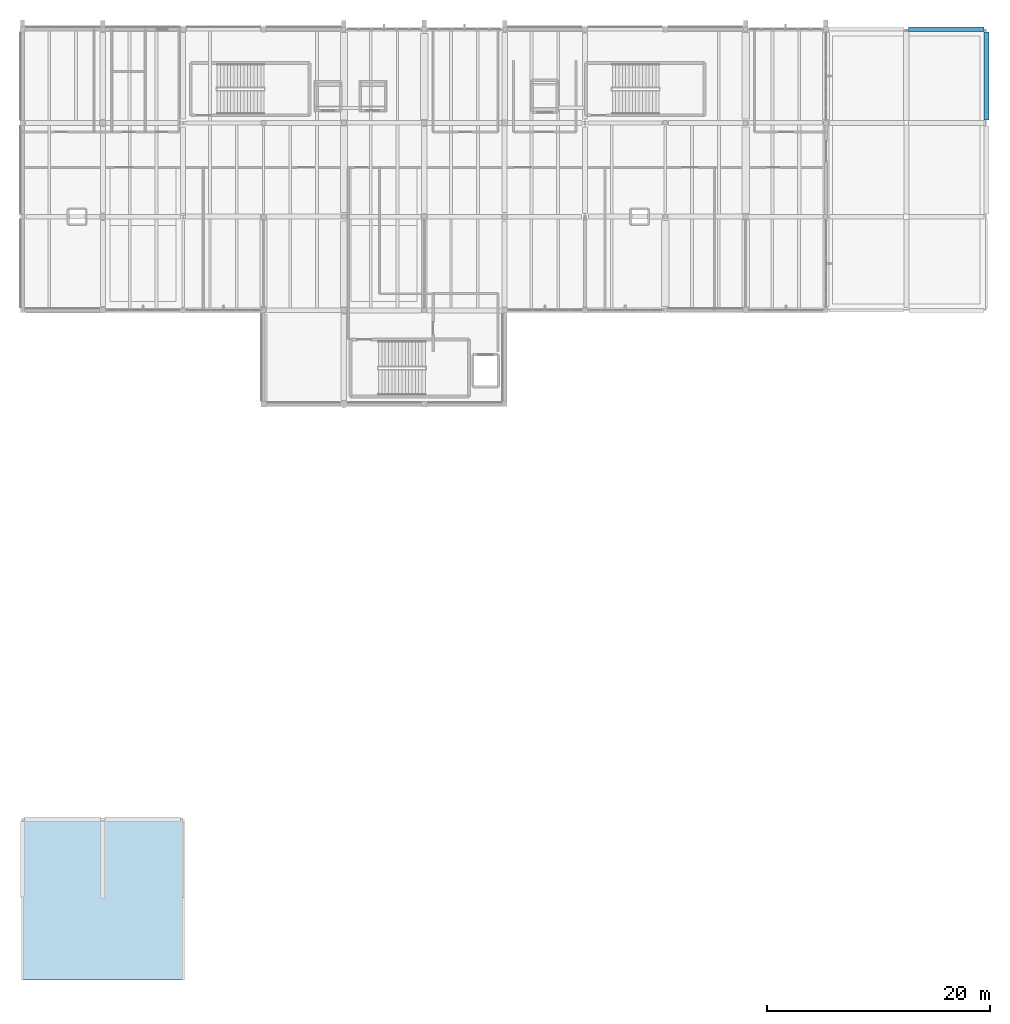
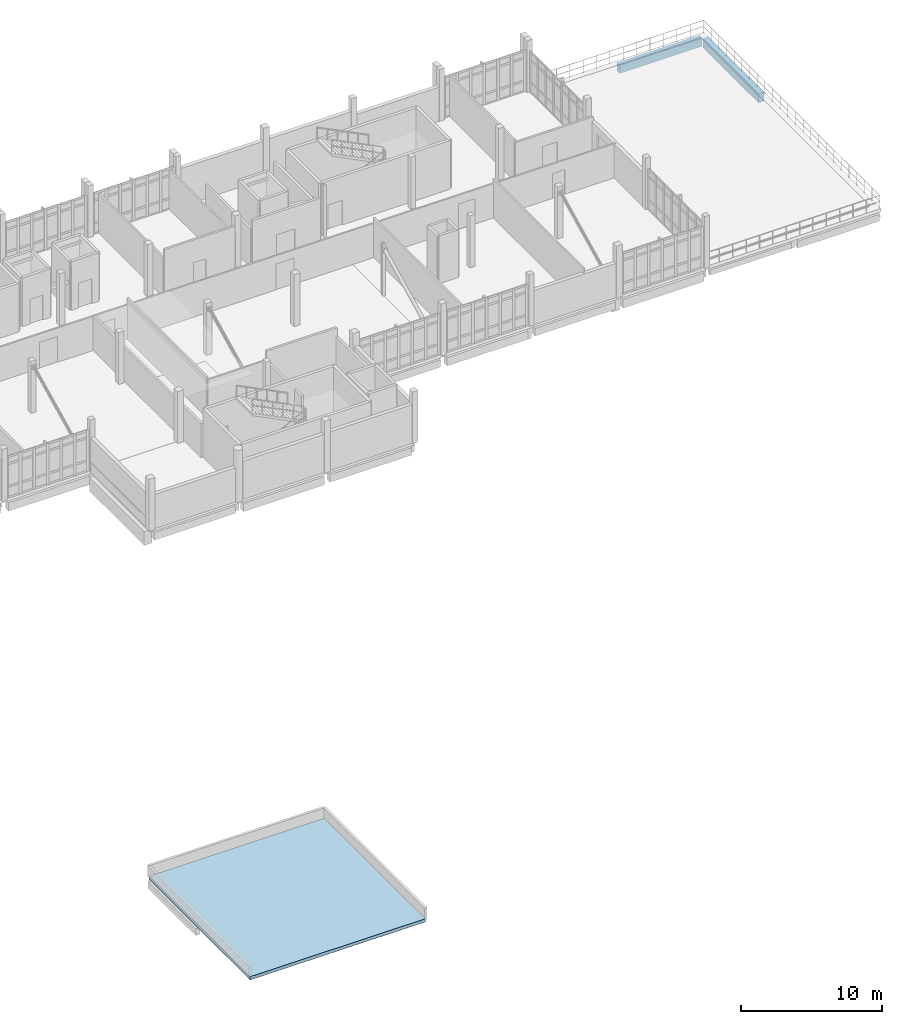
# One storey, part 21 of 34: 2 beams, 1 slab.
"""IFC4 building model written with IfcOpenShell, lengths in metres."""

import ifcopenshell
import ifcopenshell.guid

model = None  # the IFC model being written
_history = None  # IfcOwnerHistory: only IFC2X3 demands one
_inside = {}  # id of a spatial element -> (the spatial element, [elements in it])
_under = {}  # id of a project, library or spatial element -> (it, [spatial elements below it])
_declared = {}  # id of a project -> (the project, [libraries it declares])
_typed = {}  # id of a type object -> (the type object, [elements of that type])
_made_of = {}  # id of a material, layer set ... -> (it, [elements and type objects made of it])


def new_model(schema):
    """Start an empty IFC model of exactly this schema.

    Asked for "IFC4X3", IfcOpenShell would pick the latest addendum, in which some entities
    have other attributes; the version numbers below select the first issue.
    IFC2X3 requires an IfcOwnerHistory on every rooted entity: one is made here for all.
    """
    global model, _history
    if schema == "IFC4X3":
        model = ifcopenshell.file(schema_version=(4, 3, 0, 0))
    else:
        model = ifcopenshell.file(schema=schema)
    _inside.clear()
    _under.clear()
    _declared.clear()
    _typed.clear()
    _made_of.clear()
    _history = None
    if model.schema == "IFC2X3":
        org = make("IfcOrganization", Name="unknown")
        user = make(
            "IfcPersonAndOrganization",
            ThePerson=make("IfcPerson", FamilyName="unknown"),
            TheOrganization=org,
        )
        app = make(
            "IfcApplication",
            ApplicationDeveloper=org,
            Version="unknown",
            ApplicationFullName="unknown",
            ApplicationIdentifier="unknown",
        )
        _history = make(
            "IfcOwnerHistory",
            OwningUser=user,
            OwningApplication=app,
            ChangeAction="ADDED",
            CreationDate=0,
        )
    return model


def make(cls, **values):
    """One entity of the class cls with the attributes given. An attribute that is None is left unset."""
    return model.create_entity(
        cls, **{name: value for name, value in values.items() if value is not None}
    )


def rooted(cls, **values):
    """An entity with a GlobalId (a new one), such as an element, a storey or a relation."""
    return make(cls, GlobalId=ifcopenshell.guid.new(), OwnerHistory=_history, **values)


def si_unit(unit_type, name, prefix=None):
    """IfcSIUnit, for example si_unit("LENGTHUNIT", "METRE", prefix="MILLI")."""
    return make("IfcSIUnit", UnitType=unit_type, Prefix=prefix, Name=name)


def assignment(units):
    """IfcUnitAssignment: the units of a project."""
    return None if units is None else make("IfcUnitAssignment", Units=units)


def point(xyz):
    """IfcCartesianPoint."""
    return None if xyz is None else make("IfcCartesianPoint", Coordinates=xyz)


def direction(xyz):
    """IfcDirection."""
    return None if xyz is None else make("IfcDirection", DirectionRatios=xyz)


def frame(location, z_axis=None, x_axis=None):
    """IfcAxis2Placement3D, a coordinate frame: its origin and axes. An axis left out is left unset."""
    return make(
        "IfcAxis2Placement3D",
        Location=point(location),
        Axis=direction(z_axis),
        RefDirection=direction(x_axis),
    )


def frame_2d(location, x_axis=None):
    """IfcAxis2Placement2D, a coordinate frame in the plane: its origin and x axis."""
    return make(
        "IfcAxis2Placement2D", Location=point(location), RefDirection=direction(x_axis)
    )


def origin():
    """The frame at (0, 0, 0) with its axes left unset."""
    return frame((0.0, 0.0, 0.0))


def origin_2d():
    """The frame at (0, 0) in the plane with its x axis left unset."""
    return frame_2d((0.0, 0.0))


def place(relative_to, where):
    """IfcLocalPlacement: puts the frame where relative to a parent placement (None: the world)."""
    return make(
        "IfcLocalPlacement", PlacementRelTo=relative_to, RelativePlacement=where
    )


def context(
    kind, dimensions, precision=None, world=None, true_north=None, identifier=None
):
    """IfcGeometricRepresentationContext, for example the 3D "Model" context."""
    return make(
        "IfcGeometricRepresentationContext",
        ContextIdentifier=identifier,
        ContextType=kind,
        CoordinateSpaceDimension=dimensions,
        Precision=precision,
        WorldCoordinateSystem=world,
        TrueNorth=true_north,
    )


def subcontext(parent, identifier, kind, view, scale=None):
    """IfcGeometricRepresentationSubContext, for example "Body" below "Model"."""
    return make(
        "IfcGeometricRepresentationSubContext",
        ContextIdentifier=identifier,
        ContextType=kind,
        ParentContext=parent,
        TargetScale=scale,
        TargetView=view,
    )


def project(units=None, contexts=None):
    """IfcProject with its units and contexts."""
    return rooted(
        "IfcProject",
        Name="project",
        RepresentationContexts=contexts,
        UnitsInContext=assignment(units),
    )


def spatial(cls, under=None, at=None, **own):
    """A site, building, storey or space (cls), placed at a placement, below another one or the project."""
    s = rooted(cls, ObjectPlacement=at, **own)
    if under is not None:
        _under.setdefault(under.id(), (under, []))[1].append(s)
    return s


def polyline(points):
    """IfcPolyline through the points."""
    return make("IfcPolyline", Points=[point(p) for p in points])


def profile(cls, at=None, kind="AREA", **sizes):
    """A parametric profile (cls). Its sizes go by their IFC names, for example OverallWidth=200.0."""
    return make(cls, ProfileType=kind, Position=at, **sizes)


def rectangle(**sizes):
    """IfcRectangleProfileDef."""
    return profile("IfcRectangleProfileDef", **sizes)


def outline(outer, holes=None, kind="AREA"):
    """IfcArbitraryClosedProfileDef: a profile drawn as a closed curve; with holes, ...WithVoids."""
    if holes is None:
        return make("IfcArbitraryClosedProfileDef", ProfileType=kind, OuterCurve=outer)
    return make(
        "IfcArbitraryProfileDefWithVoids",
        ProfileType=kind,
        OuterCurve=outer,
        InnerCurves=holes,
    )


def extrude(swept, where, along, depth):
    """IfcExtrudedAreaSolid: the profile swept, set in the frame where, extruded along a direction by depth."""
    return make(
        "IfcExtrudedAreaSolid",
        SweptArea=swept,
        Position=where,
        ExtrudedDirection=direction(along),
        Depth=depth,
    )


def shape(context_of_items, identifier, shape_type, items):
    """IfcShapeRepresentation: the items that make up one representation, for example the "Body"."""
    return make(
        "IfcShapeRepresentation",
        ContextOfItems=context_of_items,
        RepresentationIdentifier=identifier,
        RepresentationType=shape_type,
        Items=items,
    )


def material(Name=None, Category=None):
    """IfcMaterial."""
    return make("IfcMaterial", Name=Name, Category=Category)


def layer(
    of_material, thickness, ventilated=None, Name=None, Category=None, Priority=None
):
    """IfcMaterialLayer: one layer of a wall or slab, of a material (None: an air gap)."""
    return make(
        "IfcMaterialLayer",
        Material=of_material,
        LayerThickness=thickness,
        IsVentilated=ventilated,
        Name=Name,
        Category=Category,
        Priority=Priority,
    )


def layer_set(layers, Name=None):
    """IfcMaterialLayerSet."""
    return make("IfcMaterialLayerSet", MaterialLayers=layers, LayerSetName=Name)


def material_profile(
    of_material, cross_section, Name=None, Category=None, Priority=None
):
    """IfcMaterialProfile: a cross section and its material."""
    return make(
        "IfcMaterialProfile",
        Name=Name,
        Material=of_material,
        Profile=cross_section,
        Priority=Priority,
        Category=Category,
    )


def profile_set(profiles, Name=None, composite=None):
    """IfcMaterialProfileSet."""
    return make(
        "IfcMaterialProfileSet",
        Name=Name,
        MaterialProfiles=profiles,
        CompositeProfile=composite,
    )


def made_of(thing, what):
    """Note that an element or type object is made of a material, layer set ...; save() writes the relation."""
    if what is not None:
        _made_of.setdefault(what.id(), (what, []))[1].append(thing)
    return thing


def type_object(cls, material=None, **own):
    """A type object (cls), such as IfcWallType, which elements share."""
    return made_of(rooted(cls, **own), material)


def element(
    cls,
    number,
    at=None,
    inside=None,
    cuts=None,
    type_object=None,
    material=None,
    context=None,
    identifier="Body",
    shape_type=None,
    held_by="IfcProductDefinitionShape",
    body=None,
    shapes=None,
    **own,
):
    """One element of the class cls, such as IfcWall. Its Tag is "e" and its number.

    at: its placement. inside: the storey or other place that contains it. cuts: it is an
    opening in that element (IfcRelVoidsElement). A single representation is given by context,
    identifier, shape_type and body (its items); several are given by shapes. held_by: the class
    of the entity that holds the representations. save() writes the other relations.
    """
    e = rooted(cls, Tag="e%d" % number, ObjectPlacement=at, **own)
    if body is not None:
        shapes = [shape(context, identifier, shape_type, body)]
    if shapes is not None:
        e.Representation = make(held_by, Representations=shapes)
    if inside is not None:
        _inside.setdefault(inside.id(), (inside, []))[1].append(e)
    if cuts is not None:
        rooted(
            "IfcRelVoidsElement", RelatingBuildingElement=cuts, RelatedOpeningElement=e
        )
    if type_object is not None:
        _typed.setdefault(type_object.id(), (type_object, []))[1].append(e)
    return made_of(e, material)


def aggregate(whole, parts):
    """IfcRelAggregates: a whole, such as a stair, and the parts it consists of."""
    return rooted("IfcRelAggregates", RelatingObject=whole, RelatedObjects=parts)


def save(model, path):
    """Write the relations noted so far, then the file.

    IfcRelAggregates (storeys below a building ...), IfcRelContainedInSpatialStructure (elements
    in a storey), IfcRelDefinesByType, IfcRelAssociatesMaterial and IfcRelDeclares: one each for
    every whole, place, type object, material and project.
    """
    for whole, parts in _under.values():
        aggregate(whole, parts)
    for where, things in _inside.values():
        rooted(
            "IfcRelContainedInSpatialStructure",
            RelatedElements=things,
            RelatingStructure=where,
        )
    for kind, things in _typed.values():
        rooted("IfcRelDefinesByType", RelatedObjects=things, RelatingType=kind)
    for what, things in _made_of.values():
        rooted("IfcRelAssociatesMaterial", RelatedObjects=things, RelatingMaterial=what)
    for by, libraries in _declared.values():
        rooted("IfcRelDeclares", RelatingContext=by, RelatedDefinitions=libraries)
    model.write(path)


model = new_model("IFC4")

# Units and contexts
model_context = context("Model", 3, precision=1e-05, world=origin(), true_north=direction((0.0, 1.0)))
body_context = subcontext(model_context, "Body", "Model", "MODEL_VIEW")
ifc_project = project(units=[si_unit("LENGTHUNIT", "METRE"), si_unit("AREAUNIT", "SQUARE_METRE"), si_unit("VOLUMEUNIT", "CUBIC_METRE"), si_unit("PLANEANGLEUNIT", "RADIAN"), si_unit("MASSUNIT", "GRAM", prefix="KILO")], contexts=[model_context])

# Site, building, storey
site_placement = place(None, origin())
site = spatial("IfcSite", under=ifc_project, at=site_placement, CompositionType="ELEMENT")
building_placement = place(site_placement, origin())
building = spatial("IfcBuilding", under=site, at=building_placement, Name="Kalluvel Institute of Natural Sciences", CompositionType="ELEMENT")
storey_placement = place(building_placement, frame((0.0, 0.0, 36.89990234375)))
storey = spatial("IfcBuildingStorey", under=building, at=storey_placement, Name="L08", CompositionType="ELEMENT", Elevation=36.89990234375)

# Beams
ifc_material = material(Name="Concrete M40", Category="concrete")
ifc_material_profile_1 = material_profile(ifc_material, rectangle(XDim=0.449951171875, YDim=0.800048828125, at=origin_2d()), Name="RCB 450x800")
ifc_profile_set_1 = profile_set([ifc_material_profile_1], Name="Concrete M40")
beam_type_1 = type_object("IfcBeamType", Name="BM-RC450x800", PredefinedType="BEAM", material=ifc_profile_set_1)
beam_1_placement = place(storey_placement, frame((100.39990234375, 119.85009765625, -0.719970703125), z_axis=(0.0, 1.0, 0.0), x_axis=(-1.0, 0.0, 0.0)))
element("IfcBeam", 1, at=beam_1_placement, inside=storey, type_object=beam_type_1, Name="L08 girder GIR-L08-NS-X1004-Y1196", PredefinedType="BEAM", context=body_context, shape_type="SweptSolid", body=[
    extrude(rectangle(XDim=0.449951171875, YDim=0.800048828125, at=origin_2d()), origin(), (0.0, 0.0, 1.0), 7.89990234375),
])
ifc_material_profile_2 = material_profile(ifc_material, rectangle(XDim=0.39990234375, YDim=0.699951171875, at=origin_2d()), Name="RCB 400x700")
ifc_profile_set_2 = profile_set([ifc_material_profile_2], Name="Concrete M40")
beam_type_2 = type_object("IfcBeamType", Name="SP-RC400x700", PredefinedType="SPANDREL", material=ifc_profile_set_2)
beam_2_placement = place(storey_placement, frame((93.39990234375, 128.0, -0.669921875), z_axis=(1.0, 0.0, 0.0), x_axis=(0.0, 1.0, 0.0)))
element("IfcBeam", 2, at=beam_2_placement, inside=storey, type_object=beam_type_2, Name="L08 girder GIR-L08-EW-X932-Y1280", PredefinedType="SPANDREL", context=body_context, shape_type="SweptSolid", body=[
    extrude(rectangle(XDim=0.39990234375, YDim=0.699951171875, at=origin_2d()), origin(), (0.0, 0.0, 1.0), 6.75),
])

# Slab
ifc_layer = layer(ifc_material, 0.280029296875)
ifc_layer_set = layer_set([ifc_layer], Name="Concrete M40")
slab_type = type_object("IfcSlabType", Name="SLB-ROOF-280", PredefinedType="ROOF", material=ifc_layer_set)
slab_placement = place(storey_placement, frame((0.0, 0.0, -0.27978515625)))
element("IfcSlab", 3, at=slab_placement, inside=storey, type_object=slab_type, Name="L08 Dry-Wing Roof-Garden Pavilion Structural Roof Slab", PredefinedType="ROOF", context=body_context, shape_type="SweptSolid", body=[
    extrude(outline(polyline([(14.0, 42.800048828125), (28.39990234375, 42.800048828125), (28.39990234375, 57.199951171875), (14.0, 57.199951171875), (14.0, 42.800048828125)])), origin(), (0.0, 0.0, 1.0), 0.27978515625),
])

save(model, "model.ifc")
